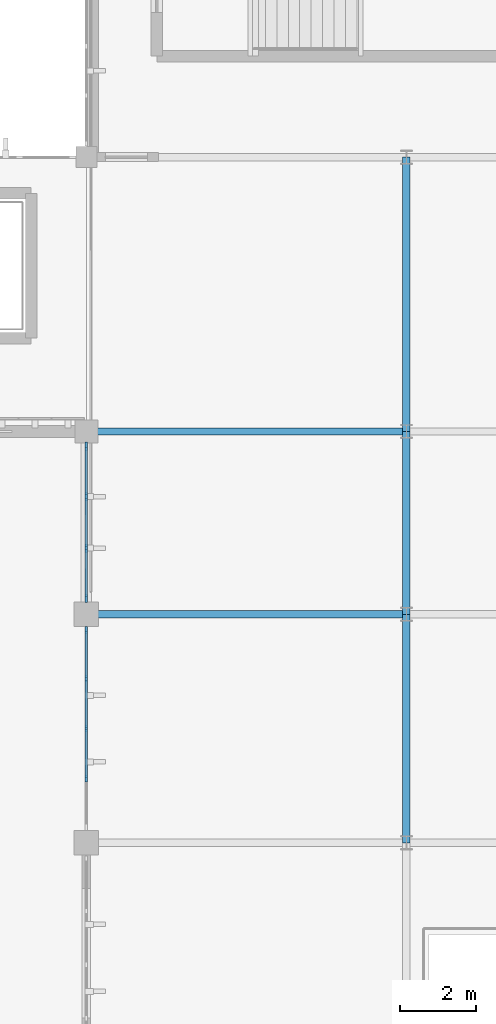
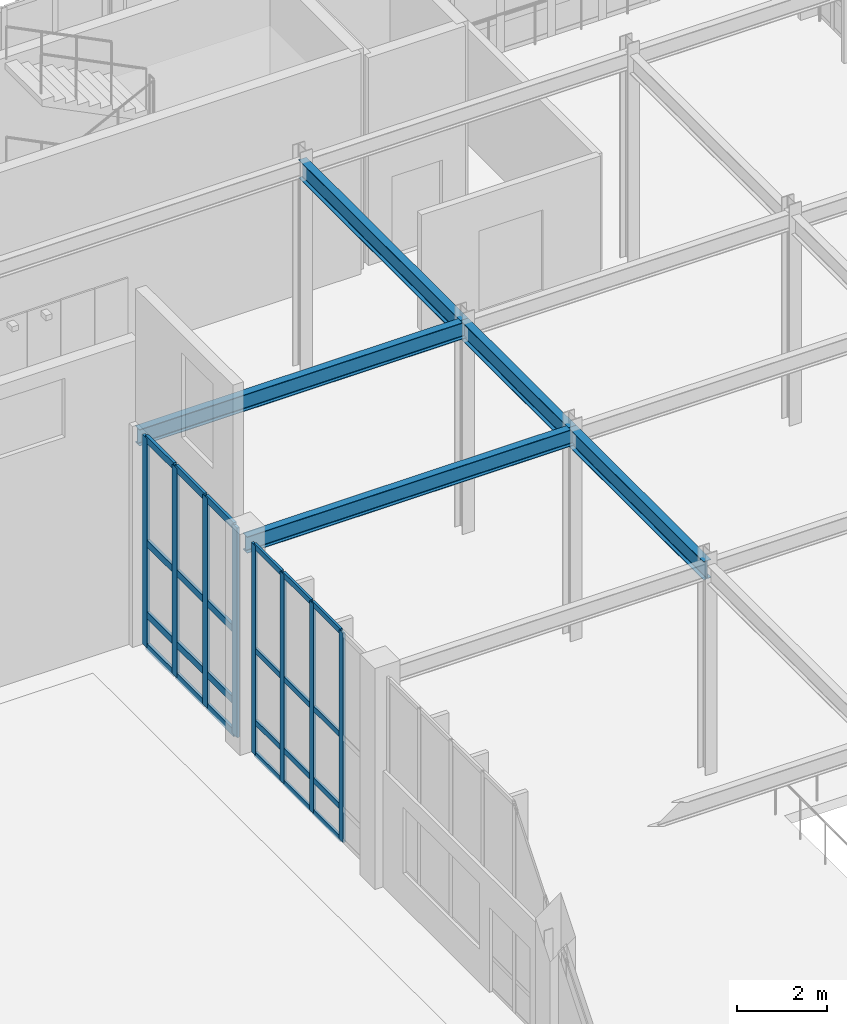
# One storey, part 33 of 105: 32 members, 5 beams, 2 elements without a shape of their own.
"""IFC4 building model written with IfcOpenShell, lengths in metres."""

from ifc_helpers import new_model, si_unit, direction, frame, origin, origin_2d, place, context, subcontext, project, spatial, rectangle, i_section, extrude, material, material_profile, profile_set, type_object, element, aggregate, save


model = new_model("IFC4")

# Units and contexts
model_context = context("Model", 3, precision=1e-05, world=origin(), true_north=direction((0.0, 1.0)))
body_context = subcontext(model_context, "Body", "Model", "MODEL_VIEW")
ifc_project = project(units=[si_unit("LENGTHUNIT", "METRE"), si_unit("AREAUNIT", "SQUARE_METRE"), si_unit("VOLUMEUNIT", "CUBIC_METRE"), si_unit("PLANEANGLEUNIT", "RADIAN"), si_unit("MASSUNIT", "GRAM", prefix="KILO")], contexts=[model_context])

# Site, building, storey
site_placement = place(None, origin())
site = spatial("IfcSite", under=ifc_project, at=site_placement, CompositionType="ELEMENT")
building_placement = place(site_placement, origin())
building = spatial("IfcBuilding", under=site, at=building_placement, Name="Tizgana Railside Sports Hall", CompositionType="ELEMENT")
storey_placement = place(building_placement, frame((0.0, 0.0, 6.0)))
storey = spatial("IfcBuildingStorey", under=building, at=storey_placement, Name="L01", CompositionType="ELEMENT", Elevation=6.0)

# Curtain wall, members
ifc_material_1 = material(Name="Anodised aluminium and glass", Category="aluminium")
curtain_wall_type_1 = type_object("IfcCurtainWallType", Name="Unitised Curtain Wall Clinic 1200", PredefinedType="NOTDEFINED", material=ifc_material_1)
curtain_wall_1_placement = place(storey_placement, origin())
curtain_wall_1 = element("IfcCurtainWall", 1, at=curtain_wall_1_placement, inside=storey, type_object=curtain_wall_type_1, Name="L01 Curtain Wall CW-0164", PredefinedType="NOTDEFINED")
ifc_material_2 = material(Name="Anodised aluminium", Category="aluminium")
ifc_material_profile_1 = material_profile(ifc_material_2, rectangle(XDim=0.06005859375, YDim=0.179931640625, at=origin_2d()), Name="Mullion 60x180")
ifc_profile_set_1 = profile_set([ifc_material_profile_1], Name="Anodised aluminium")
member_type_1 = type_object("IfcMemberType", Name="Mullion 60x180", PredefinedType="MULLION", material=ifc_profile_set_1)
member_1_placement = place(storey_placement, frame((54.60009765625, 67.989990234375, 0.0), z_axis=(0.0, 0.0, 1.0), x_axis=(1.0, 0.0, 0.0)))
member_1 = element("IfcMember", 2, at=member_1_placement, type_object=member_type_1, Name="CW-05 mullion 1", PredefinedType="MULLION", context=body_context, shape_type="SweptSolid", body=[
    extrude(rectangle(XDim=0.06005859375, YDim=0.179931640625, at=origin_2d()), origin(), (0.0, 0.0, 1.0), 5.68994140625),
])
member_2_placement = place(storey_placement, frame((54.60009765625, 66.7099609375, 0.0), z_axis=(0.0, 0.0, 1.0), x_axis=(1.0, 0.0, 0.0)))
member_2 = element("IfcMember", 3, at=member_2_placement, type_object=member_type_1, Name="CW-05 mullion 2", PredefinedType="MULLION", context=body_context, shape_type="SweptSolid", body=[
    extrude(rectangle(XDim=0.06005859375, YDim=0.179931640625, at=origin_2d()), origin(), (0.0, 0.0, 1.0), 5.68994140625),
])
member_3_placement = place(storey_placement, frame((54.60009765625, 65.39990234375, 0.0), z_axis=(0.0, 0.0, 1.0), x_axis=(1.0, 0.0, 0.0)))
member_3 = element("IfcMember", 4, at=member_3_placement, type_object=member_type_1, Name="CW-05 mullion 3", PredefinedType="MULLION", context=body_context, shape_type="SweptSolid", body=[
    extrude(rectangle(XDim=0.06005859375, YDim=0.179931640625, at=origin_2d()), origin(), (0.0, 0.0, 1.0), 5.68994140625),
])
member_4_placement = place(storey_placement, frame((54.60009765625, 64.090087890625, 0.0), z_axis=(0.0, 0.0, 1.0), x_axis=(1.0, 0.0, 0.0)))
member_4 = element("IfcMember", 5, at=member_4_placement, type_object=member_type_1, Name="CW-05 mullion 4", PredefinedType="MULLION", context=body_context, shape_type="SweptSolid", body=[
    extrude(rectangle(XDim=0.06005859375, YDim=0.179931640625, at=origin_2d()), origin(), (0.0, 0.0, 1.0), 5.68994140625),
])

curtain_wall_type_2 = type_object("IfcCurtainWallType", Name="Unitised Curtain Wall WestHall 1560", PredefinedType="NOTDEFINED", material=ifc_material_1)
curtain_wall_2_placement = place(storey_placement, origin())
curtain_wall_2 = element("IfcCurtainWall", 6, at=curtain_wall_2_placement, inside=storey, type_object=curtain_wall_type_2, Name="L01 Curtain Wall CW-0166", PredefinedType="NOTDEFINED")
ifc_material_profile_2 = material_profile(ifc_material_2, rectangle(XDim=0.070068359375, YDim=0.219970703125, at=origin_2d()), Name="Mullion 70x220")
ifc_profile_set_2 = profile_set([ifc_material_profile_2], Name="Anodised aluminium")
member_type_2 = type_object("IfcMemberType", Name="Mullion 70x220", PredefinedType="MULLION", material=ifc_profile_set_2)
member_5_placement = place(storey_placement, frame((54.60009765625, 72.81005859375, 0.0), z_axis=(0.0, 0.0, 1.0), x_axis=(1.0, 0.0, 0.0)))
member_5 = element("IfcMember", 7, at=member_5_placement, type_object=member_type_2, Name="CW-07 mullion 1", PredefinedType="MULLION", context=body_context, shape_type="SweptSolid", body=[
    extrude(rectangle(XDim=0.070068359375, YDim=0.219970703125, at=origin_2d()), origin(), (0.0, 0.0, 1.0), 5.68994140625),
])
member_6_placement = place(storey_placement, frame((54.60009765625, 71.489990234375, 0.0), z_axis=(0.0, 0.0, 1.0), x_axis=(1.0, 0.0, 0.0)))
member_6 = element("IfcMember", 8, at=member_6_placement, type_object=member_type_2, Name="CW-07 mullion 2", PredefinedType="MULLION", context=body_context, shape_type="SweptSolid", body=[
    extrude(rectangle(XDim=0.070068359375, YDim=0.219970703125, at=origin_2d()), origin(), (0.0, 0.0, 1.0), 5.68994140625),
])
member_7_placement = place(storey_placement, frame((54.60009765625, 70.135009765625, 0.0), z_axis=(0.0, 0.0, 1.0), x_axis=(1.0, 0.0, 0.0)))
member_7 = element("IfcMember", 9, at=member_7_placement, type_object=member_type_2, Name="CW-07 mullion 3", PredefinedType="MULLION", context=body_context, shape_type="SweptSolid", body=[
    extrude(rectangle(XDim=0.070068359375, YDim=0.219970703125, at=origin_2d()), origin(), (0.0, 0.0, 1.0), 5.68994140625),
])
member_8_placement = place(storey_placement, frame((54.60009765625, 68.81494140625, 0.0), z_axis=(0.0, 0.0, 1.0), x_axis=(1.0, 0.0, 0.0)))
member_8 = element("IfcMember", 10, at=member_8_placement, type_object=member_type_2, Name="CW-07 mullion 4", PredefinedType="MULLION", context=body_context, shape_type="SweptSolid", body=[
    extrude(rectangle(XDim=0.070068359375, YDim=0.219970703125, at=origin_2d()), origin(), (0.0, 0.0, 1.0), 5.68994140625),
])

# Beams
ifc_material_3 = material(Name="Steel S355J2", Category="steel")
ifc_material_profile_3 = material_profile(ifc_material_3, i_section(OverallWidth=0.18994140625, OverallDepth=0.449951171875, WebThickness=0.009521484375, FlangeThickness=0.0146484375, FilletRadius=0.02099609375, at=origin_2d()), Name="IPE 450")
ifc_profile_set_3 = profile_set([ifc_material_profile_3], Name="Steel S355J2")
beam_type_1 = type_object("IfcBeamType", Name="Steel Beam IPE 450", PredefinedType="BEAM", material=ifc_profile_set_3)
for number, where, z_axis, x_axis, name in (
    (11, (54.60009765625, 68.39990234375, 5.4609375), (1.0, 0.0, 0.0), (0.0, 1.0, 0.0), "L01 BEM-0971"),
    (12, (54.60009765625, 73.199951171875, 5.4609375), (1.0, 0.0, 0.0), (0.0, 1.0, 0.0), "L01 BEM-0972"),
):
    element("IfcBeam", number, at=place(storey_placement, frame(where, z_axis=z_axis, x_axis=x_axis)), inside=storey, type_object=beam_type_1, Name=name, PredefinedType="BEAM", context=body_context, shape_type="SweptSolid", body=[
        extrude(i_section(OverallWidth=0.18994140625, OverallDepth=0.449951171875, WebThickness=0.009521484375, FlangeThickness=0.0146484375, FilletRadius=0.02099609375, at=origin_2d()), origin(), (0.0, 0.0, 1.0), 8.39990234375),
    ])
ifc_material_profile_4 = material_profile(ifc_material_3, i_section(OverallWidth=0.199951171875, OverallDepth=0.5, WebThickness=0.01025390625, FlangeThickness=0.01611328125, FilletRadius=0.02099609375, at=origin_2d()), Name="IPE 500")
ifc_profile_set_4 = profile_set([ifc_material_profile_4], Name="Steel S355J2")
beam_type_2 = type_object("IfcBeamType", Name="Steel Beam IPE 500", PredefinedType="BEAM", material=ifc_profile_set_4)
beam_1_placement = place(storey_placement, frame((63.0, 62.39990234375, 5.43603515625), z_axis=(0.0, 1.0, 0.0), x_axis=(-1.0, 0.0, 0.0)))
element("IfcBeam", 13, at=beam_1_placement, inside=storey, type_object=beam_type_2, Name="L01 BEM-0957", PredefinedType="BEAM", context=body_context, shape_type="SweptSolid", body=[
    extrude(i_section(OverallWidth=0.199951171875, OverallDepth=0.5, WebThickness=0.01025390625, FlangeThickness=0.01611328125, FilletRadius=0.02099609375, at=origin_2d()), origin(), (0.0, 0.0, 1.0), 6.0),
])
beam_2_placement = place(storey_placement, frame((63.0, 68.39990234375, 5.43603515625), z_axis=(0.0, 1.0, 0.0), x_axis=(-1.0, 0.0, 0.0)))
element("IfcBeam", 14, at=beam_2_placement, inside=storey, type_object=beam_type_2, Name="L01 BEM-0958", PredefinedType="BEAM", context=body_context, shape_type="SweptSolid", body=[
    extrude(i_section(OverallWidth=0.199951171875, OverallDepth=0.5, WebThickness=0.01025390625, FlangeThickness=0.01611328125, FilletRadius=0.02099609375, at=origin_2d()), origin(), (0.0, 0.0, 1.0), 4.800048828125),
])
beam_3_placement = place(storey_placement, frame((63.0, 73.199951171875, 5.43603515625), z_axis=(0.0, 1.0, 0.0), x_axis=(-1.0, 0.0, 0.0)))
element("IfcBeam", 15, at=beam_3_placement, inside=storey, type_object=beam_type_2, Name="L01 BEM-0959", PredefinedType="BEAM", context=body_context, shape_type="SweptSolid", body=[
    extrude(i_section(OverallWidth=0.199951171875, OverallDepth=0.5, WebThickness=0.01025390625, FlangeThickness=0.01611328125, FilletRadius=0.02099609375, at=origin_2d()), origin(), (0.0, 0.0, 1.0), 7.199951171875),
])

# Member
ifc_material_profile_5 = material_profile(ifc_material_2, rectangle(XDim=0.06005859375, YDim=0.14990234375, at=origin_2d()), Name="Transom 60x150")
ifc_profile_set_5 = profile_set([ifc_material_profile_5], Name="Anodised aluminium")
member_type_3 = type_object("IfcMemberType", Name="Transom 60x150", PredefinedType="USERDEFINED", material=ifc_profile_set_5)
member_9_placement = place(storey_placement, frame((54.60009765625, 67.9599609375, 0.030029296875), z_axis=(0.0, -1.0, 0.0), x_axis=(1.0, 0.0, 0.0)))
member_9 = element("IfcMember", 16, at=member_9_placement, type_object=member_type_3, Name="CW-05 transom 1.1", ObjectType="TRANSOM", PredefinedType="USERDEFINED", context=body_context, shape_type="SweptSolid", body=[
    extrude(rectangle(XDim=0.06005859375, YDim=0.14990234375, at=origin_2d()), origin(), (0.0, 0.0, 1.0), 1.219970703125),
])

member_10_placement = place(storey_placement, frame((54.60009765625, 67.9599609375, 0.89990234375), z_axis=(0.0, -1.0, 0.0), x_axis=(1.0, 0.0, 0.0)))
member_10 = element("IfcMember", 17, at=member_10_placement, type_object=member_type_3, Name="CW-05 transom 1.2", ObjectType="TRANSOM", PredefinedType="USERDEFINED", context=body_context, shape_type="SweptSolid", body=[
    extrude(rectangle(XDim=0.06005859375, YDim=0.14990234375, at=origin_2d()), origin(), (0.0, 0.0, 1.0), 1.219970703125),
])

member_11_placement = place(storey_placement, frame((54.60009765625, 67.9599609375, 2.844970703125), z_axis=(0.0, -1.0, 0.0), x_axis=(1.0, 0.0, 0.0)))
member_11 = element("IfcMember", 18, at=member_11_placement, type_object=member_type_3, Name="CW-05 transom 1.3", ObjectType="TRANSOM", PredefinedType="USERDEFINED", context=body_context, shape_type="SweptSolid", body=[
    extrude(rectangle(XDim=0.06005859375, YDim=0.14990234375, at=origin_2d()), origin(), (0.0, 0.0, 1.0), 1.219970703125),
])

member_12_placement = place(storey_placement, frame((54.60009765625, 67.9599609375, 5.659912109375), z_axis=(0.0, -1.0, 0.0), x_axis=(1.0, 0.0, 0.0)))
member_12 = element("IfcMember", 19, at=member_12_placement, type_object=member_type_3, Name="CW-05 transom 1.4", ObjectType="TRANSOM", PredefinedType="USERDEFINED", context=body_context, shape_type="SweptSolid", body=[
    extrude(rectangle(XDim=0.06005859375, YDim=0.14990234375, at=origin_2d()), origin(), (0.0, 0.0, 1.0), 1.219970703125),
])

member_13_placement = place(storey_placement, frame((54.60009765625, 66.679931640625, 0.030029296875), z_axis=(0.0, -1.0, 0.0), x_axis=(1.0, 0.0, 0.0)))
member_13 = element("IfcMember", 20, at=member_13_placement, type_object=member_type_3, Name="CW-05 transom 2.1", ObjectType="TRANSOM", PredefinedType="USERDEFINED", context=body_context, shape_type="SweptSolid", body=[
    extrude(rectangle(XDim=0.06005859375, YDim=0.14990234375, at=origin_2d()), origin(), (0.0, 0.0, 1.0), 1.25),
])

member_14_placement = place(storey_placement, frame((54.60009765625, 66.679931640625, 0.89990234375), z_axis=(0.0, -1.0, 0.0), x_axis=(1.0, 0.0, 0.0)))
member_14 = element("IfcMember", 21, at=member_14_placement, type_object=member_type_3, Name="CW-05 transom 2.2", ObjectType="TRANSOM", PredefinedType="USERDEFINED", context=body_context, shape_type="SweptSolid", body=[
    extrude(rectangle(XDim=0.06005859375, YDim=0.14990234375, at=origin_2d()), origin(), (0.0, 0.0, 1.0), 1.25),
])

member_15_placement = place(storey_placement, frame((54.60009765625, 66.679931640625, 2.844970703125), z_axis=(0.0, -1.0, 0.0), x_axis=(1.0, 0.0, 0.0)))
member_15 = element("IfcMember", 22, at=member_15_placement, type_object=member_type_3, Name="CW-05 transom 2.3", ObjectType="TRANSOM", PredefinedType="USERDEFINED", context=body_context, shape_type="SweptSolid", body=[
    extrude(rectangle(XDim=0.06005859375, YDim=0.14990234375, at=origin_2d()), origin(), (0.0, 0.0, 1.0), 1.25),
])

member_16_placement = place(storey_placement, frame((54.60009765625, 66.679931640625, 5.659912109375), z_axis=(0.0, -1.0, 0.0), x_axis=(1.0, 0.0, 0.0)))
member_16 = element("IfcMember", 23, at=member_16_placement, type_object=member_type_3, Name="CW-05 transom 2.4", ObjectType="TRANSOM", PredefinedType="USERDEFINED", context=body_context, shape_type="SweptSolid", body=[
    extrude(rectangle(XDim=0.06005859375, YDim=0.14990234375, at=origin_2d()), origin(), (0.0, 0.0, 1.0), 1.25),
])

member_17_placement = place(storey_placement, frame((54.60009765625, 65.3701171875, 0.030029296875), z_axis=(0.0, -1.0, 0.0), x_axis=(1.0, 0.0, 0.0)))
member_17 = element("IfcMember", 24, at=member_17_placement, type_object=member_type_3, Name="CW-05 transom 3.1", ObjectType="TRANSOM", PredefinedType="USERDEFINED", context=body_context, shape_type="SweptSolid", body=[
    extrude(rectangle(XDim=0.06005859375, YDim=0.14990234375, at=origin_2d()), origin(), (0.0, 0.0, 1.0), 1.25),
])

member_18_placement = place(storey_placement, frame((54.60009765625, 65.3701171875, 0.89990234375), z_axis=(0.0, -1.0, 0.0), x_axis=(1.0, 0.0, 0.0)))
member_18 = element("IfcMember", 25, at=member_18_placement, type_object=member_type_3, Name="CW-05 transom 3.2", ObjectType="TRANSOM", PredefinedType="USERDEFINED", context=body_context, shape_type="SweptSolid", body=[
    extrude(rectangle(XDim=0.06005859375, YDim=0.14990234375, at=origin_2d()), origin(), (0.0, 0.0, 1.0), 1.25),
])

member_19_placement = place(storey_placement, frame((54.60009765625, 65.3701171875, 2.844970703125), z_axis=(0.0, -1.0, 0.0), x_axis=(1.0, 0.0, 0.0)))
member_19 = element("IfcMember", 26, at=member_19_placement, type_object=member_type_3, Name="CW-05 transom 3.3", ObjectType="TRANSOM", PredefinedType="USERDEFINED", context=body_context, shape_type="SweptSolid", body=[
    extrude(rectangle(XDim=0.06005859375, YDim=0.14990234375, at=origin_2d()), origin(), (0.0, 0.0, 1.0), 1.25),
])

member_20_placement = place(storey_placement, frame((54.60009765625, 65.3701171875, 5.659912109375), z_axis=(0.0, -1.0, 0.0), x_axis=(1.0, 0.0, 0.0)))
member_20 = element("IfcMember", 27, at=member_20_placement, type_object=member_type_3, Name="CW-05 transom 3.4", ObjectType="TRANSOM", PredefinedType="USERDEFINED", context=body_context, shape_type="SweptSolid", body=[
    extrude(rectangle(XDim=0.06005859375, YDim=0.14990234375, at=origin_2d()), origin(), (0.0, 0.0, 1.0), 1.25),
])

aggregate(curtain_wall_1, [member_1, member_2, member_3, member_4, member_9, member_10, member_11, member_12, member_13, member_14, member_15, member_16, member_17, member_18, member_19, member_20])

ifc_material_profile_6 = material_profile(ifc_material_2, rectangle(XDim=0.070068359375, YDim=0.18994140625, at=origin_2d()), Name="Transom 70x190")
ifc_profile_set_6 = profile_set([ifc_material_profile_6], Name="Anodised aluminium")
member_type_4 = type_object("IfcMemberType", Name="Transom 70x190", PredefinedType="USERDEFINED", material=ifc_profile_set_6)
member_21_placement = place(storey_placement, frame((54.60009765625, 72.77490234375, 0.034912109375), z_axis=(0.0, -1.0, 0.0), x_axis=(1.0, 0.0, 0.0)))
member_21 = element("IfcMember", 28, at=member_21_placement, type_object=member_type_4, Name="CW-07 transom 1.1", ObjectType="TRANSOM", PredefinedType="USERDEFINED", context=body_context, shape_type="SweptSolid", body=[
    extrude(rectangle(XDim=0.070068359375, YDim=0.18994140625, at=origin_2d()), origin(), (0.0, 0.0, 1.0), 1.25),
])

member_22_placement = place(storey_placement, frame((54.60009765625, 72.77490234375, 0.89990234375), z_axis=(0.0, -1.0, 0.0), x_axis=(1.0, 0.0, 0.0)))
member_22 = element("IfcMember", 29, at=member_22_placement, type_object=member_type_4, Name="CW-07 transom 1.2", ObjectType="TRANSOM", PredefinedType="USERDEFINED", context=body_context, shape_type="SweptSolid", body=[
    extrude(rectangle(XDim=0.070068359375, YDim=0.18994140625, at=origin_2d()), origin(), (0.0, 0.0, 1.0), 1.25),
])

member_23_placement = place(storey_placement, frame((54.60009765625, 72.77490234375, 2.844970703125), z_axis=(0.0, -1.0, 0.0), x_axis=(1.0, 0.0, 0.0)))
member_23 = element("IfcMember", 30, at=member_23_placement, type_object=member_type_4, Name="CW-07 transom 1.3", ObjectType="TRANSOM", PredefinedType="USERDEFINED", context=body_context, shape_type="SweptSolid", body=[
    extrude(rectangle(XDim=0.070068359375, YDim=0.18994140625, at=origin_2d()), origin(), (0.0, 0.0, 1.0), 1.25),
])

member_24_placement = place(storey_placement, frame((54.60009765625, 72.77490234375, 5.655029296875), z_axis=(0.0, -1.0, 0.0), x_axis=(1.0, 0.0, 0.0)))
member_24 = element("IfcMember", 31, at=member_24_placement, type_object=member_type_4, Name="CW-07 transom 1.4", ObjectType="TRANSOM", PredefinedType="USERDEFINED", context=body_context, shape_type="SweptSolid", body=[
    extrude(rectangle(XDim=0.070068359375, YDim=0.18994140625, at=origin_2d()), origin(), (0.0, 0.0, 1.0), 1.25),
])

member_25_placement = place(storey_placement, frame((54.60009765625, 71.455078125, 0.034912109375), z_axis=(0.0, -1.0, 0.0), x_axis=(1.0, 0.0, 0.0)))
member_25 = element("IfcMember", 32, at=member_25_placement, type_object=member_type_4, Name="CW-07 transom 2.1", ObjectType="TRANSOM", PredefinedType="USERDEFINED", context=body_context, shape_type="SweptSolid", body=[
    extrude(rectangle(XDim=0.070068359375, YDim=0.18994140625, at=origin_2d()), origin(), (0.0, 0.0, 1.0), 1.28515625),
])

member_26_placement = place(storey_placement, frame((54.60009765625, 71.455078125, 0.89990234375), z_axis=(0.0, -1.0, 0.0), x_axis=(1.0, 0.0, 0.0)))
member_26 = element("IfcMember", 33, at=member_26_placement, type_object=member_type_4, Name="CW-07 transom 2.2", ObjectType="TRANSOM", PredefinedType="USERDEFINED", context=body_context, shape_type="SweptSolid", body=[
    extrude(rectangle(XDim=0.070068359375, YDim=0.18994140625, at=origin_2d()), origin(), (0.0, 0.0, 1.0), 1.28515625),
])

member_27_placement = place(storey_placement, frame((54.60009765625, 71.455078125, 2.844970703125), z_axis=(0.0, -1.0, 0.0), x_axis=(1.0, 0.0, 0.0)))
member_27 = element("IfcMember", 34, at=member_27_placement, type_object=member_type_4, Name="CW-07 transom 2.3", ObjectType="TRANSOM", PredefinedType="USERDEFINED", context=body_context, shape_type="SweptSolid", body=[
    extrude(rectangle(XDim=0.070068359375, YDim=0.18994140625, at=origin_2d()), origin(), (0.0, 0.0, 1.0), 1.28515625),
])

member_28_placement = place(storey_placement, frame((54.60009765625, 71.455078125, 5.655029296875), z_axis=(0.0, -1.0, 0.0), x_axis=(1.0, 0.0, 0.0)))
member_28 = element("IfcMember", 35, at=member_28_placement, type_object=member_type_4, Name="CW-07 transom 2.4", ObjectType="TRANSOM", PredefinedType="USERDEFINED", context=body_context, shape_type="SweptSolid", body=[
    extrude(rectangle(XDim=0.070068359375, YDim=0.18994140625, at=origin_2d()), origin(), (0.0, 0.0, 1.0), 1.28515625),
])

member_29_placement = place(storey_placement, frame((54.60009765625, 70.10009765625, 0.034912109375), z_axis=(0.0, -1.0, 0.0), x_axis=(1.0, 0.0, 0.0)))
member_29 = element("IfcMember", 36, at=member_29_placement, type_object=member_type_4, Name="CW-07 transom 3.1", ObjectType="TRANSOM", PredefinedType="USERDEFINED", context=body_context, shape_type="SweptSolid", body=[
    extrude(rectangle(XDim=0.070068359375, YDim=0.18994140625, at=origin_2d()), origin(), (0.0, 0.0, 1.0), 1.25),
])

member_30_placement = place(storey_placement, frame((54.60009765625, 70.10009765625, 0.89990234375), z_axis=(0.0, -1.0, 0.0), x_axis=(1.0, 0.0, 0.0)))
member_30 = element("IfcMember", 37, at=member_30_placement, type_object=member_type_4, Name="CW-07 transom 3.2", ObjectType="TRANSOM", PredefinedType="USERDEFINED", context=body_context, shape_type="SweptSolid", body=[
    extrude(rectangle(XDim=0.070068359375, YDim=0.18994140625, at=origin_2d()), origin(), (0.0, 0.0, 1.0), 1.25),
])

member_31_placement = place(storey_placement, frame((54.60009765625, 70.10009765625, 2.844970703125), z_axis=(0.0, -1.0, 0.0), x_axis=(1.0, 0.0, 0.0)))
member_31 = element("IfcMember", 38, at=member_31_placement, type_object=member_type_4, Name="CW-07 transom 3.3", ObjectType="TRANSOM", PredefinedType="USERDEFINED", context=body_context, shape_type="SweptSolid", body=[
    extrude(rectangle(XDim=0.070068359375, YDim=0.18994140625, at=origin_2d()), origin(), (0.0, 0.0, 1.0), 1.25),
])

member_32_placement = place(storey_placement, frame((54.60009765625, 70.10009765625, 5.655029296875), z_axis=(0.0, -1.0, 0.0), x_axis=(1.0, 0.0, 0.0)))
member_32 = element("IfcMember", 39, at=member_32_placement, type_object=member_type_4, Name="CW-07 transom 3.4", ObjectType="TRANSOM", PredefinedType="USERDEFINED", context=body_context, shape_type="SweptSolid", body=[
    extrude(rectangle(XDim=0.070068359375, YDim=0.18994140625, at=origin_2d()), origin(), (0.0, 0.0, 1.0), 1.25),
])

aggregate(curtain_wall_2, [member_5, member_6, member_7, member_8, member_21, member_22, member_23, member_24, member_25, member_26, member_27, member_28, member_29, member_30, member_31, member_32])

save(model, "model.ifc")
